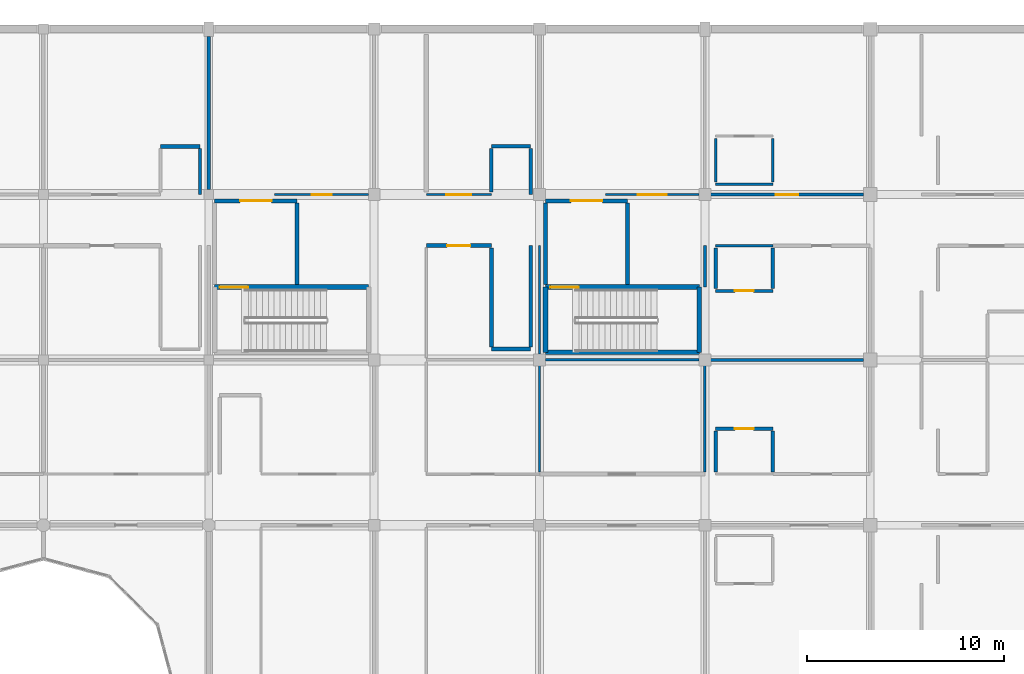
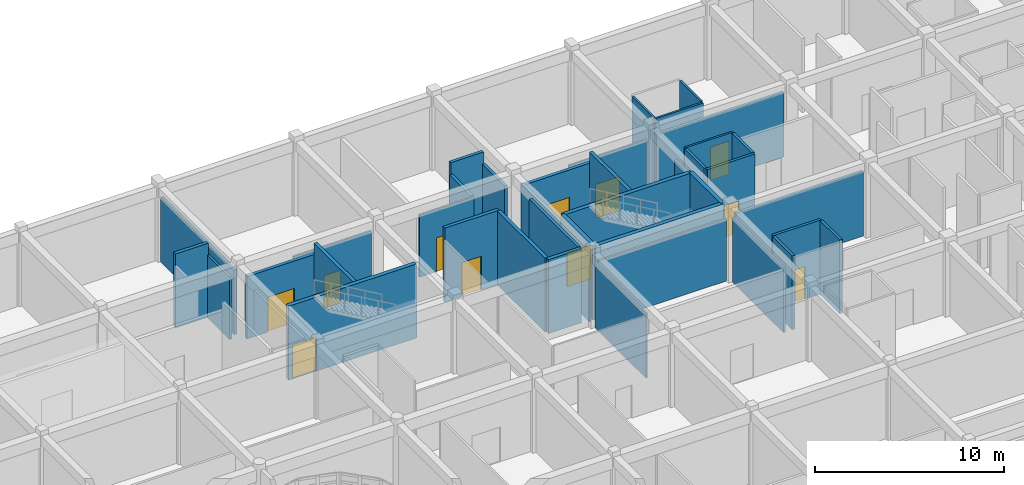
# One storey, part 100 of 134: 40 walls, 11 doors, 11 openings.
"""IFC4 building model written with IfcOpenShell, lengths in metres."""

from ifc_helpers import new_model, si_unit, direction, frame, frame_2d, origin, place, context, subcontext, project, spatial, rectangle, extrude, material, layer, layer_set, type_object, element, fill, save


model = new_model("IFC4")

# Units and contexts
model_context = context("Model", 3, precision=1e-05, world=origin(), true_north=direction((0.0, 1.0)))
body_context = subcontext(model_context, "Body", "Model", "MODEL_VIEW")
ifc_project = project(units=[si_unit("LENGTHUNIT", "METRE"), si_unit("AREAUNIT", "SQUARE_METRE"), si_unit("VOLUMEUNIT", "CUBIC_METRE"), si_unit("PLANEANGLEUNIT", "RADIAN"), si_unit("MASSUNIT", "GRAM", prefix="KILO")], contexts=[model_context])

# Site, building, storey
site_placement = place(None, origin())
site = spatial("IfcSite", under=ifc_project, at=site_placement, CompositionType="ELEMENT")
building_placement = place(site_placement, origin())
building = spatial("IfcBuilding", under=site, at=building_placement, Name="Bramfleet General Hospital", CompositionType="ELEMENT")
storey_placement = place(building_placement, frame((0.0, 0.0, 9.300048828125)))
storey = spatial("IfcBuildingStorey", under=building, at=storey_placement, Name="L02", CompositionType="ELEMENT", Elevation=9.300048828125)

# Walls
ifc_material_1 = material(Name="Concrete C35/45", Category="concrete")
ifc_layer_1 = layer(ifc_material_1, 0.219970703125, Name="WT-IW-01")
ifc_layer_set_1 = layer_set([ifc_layer_1], Name="Concrete C35/45")
wall_type_1 = type_object("IfcWallType", Name="WT-IW-01", PredefinedType="PARTITIONING", material=ifc_layer_set_1)
wall_1_placement = place(storey_placement, frame((47.949951171875, 101.35009765625, 0.0), z_axis=(0.0, 0.0, 1.0), x_axis=(1.0, 0.0, 0.0)))
element("IfcWall", 1, at=wall_1_placement, inside=storey, type_object=wall_type_1, Name="L02 Interior Partition IW-L02-2137", PredefinedType="PARTITIONING", context=body_context, shape_type="SweptSolid", body=[
    extrude(rectangle(XDim=2.0, YDim=0.219970703125, at=frame_2d((1.0, 0.0))), origin(), (0.0, 0.0, 1.0), 4.77001953125),
])
ifc_layer_2 = layer(ifc_material_1, 0.205078125, Name="WT-IW-02")
ifc_layer_set_2 = layer_set([ifc_layer_2], Name="Concrete C35/45")
wall_type_2 = type_object("IfcWallType", Name="WT-IW-02", PredefinedType="PARTITIONING", material=ifc_layer_set_2)
wall_2_placement = place(storey_placement, frame((38.080078125, 104.639892578125, 0.0), z_axis=(0.0, 0.0, 1.0), x_axis=(0.0, 1.0, 0.0)))
element("IfcWall", 2, at=wall_2_placement, inside=storey, type_object=wall_type_2, Name="L02 C8 Lobby East Shaft Wall", PredefinedType="PARTITIONING", context=body_context, shape_type="SweptSolid", body=[
    extrude(rectangle(XDim=4.1201171875, YDim=0.205078125, at=frame_2d((2.06005859375, 0.0))), origin(), (0.0, 0.0, 1.0), 4.77001953125),
])

# Wall, opening, door
wall_3_placement = place(storey_placement, frame((33.89990234375, 108.8798828125, 0.0), z_axis=(0.0, 0.0, 1.0), x_axis=(1.0, 0.0, 0.0)))
wall_3 = element("IfcWall", 3, at=wall_3_placement, inside=storey, type_object=wall_type_2, Name="L02 C8 Lobby North Compartment Wall", PredefinedType="PARTITIONING", context=body_context, shape_type="SweptSolid", body=[
    extrude(rectangle(XDim=4.18017578125, YDim=0.205078125, at=frame_2d((2.090087890625, 0.0))), origin(), (0.0, 0.0, 1.0), 4.02001953125),
])
opening_1_placement = place(wall_3_placement, frame((1.2900390625, 0.0, 0.0)))
opening_1 = element("IfcOpeningElement", 4, at=opening_1_placement, cuts=wall_3, Name="Opening D0104", PredefinedType="OPENING", context=body_context, shape_type="SweptSolid", body=[
    extrude(rectangle(XDim=1.60009765625, YDim=2.25, at=frame_2d((0.800048828125, 1.125))), frame((0.0, 0.112548828125, 0.0), z_axis=(0.0, -1.0, 0.0), x_axis=(1.0, 0.0, 0.0)), (0.0, 0.0, 1.0), 0.22509765625),
])
ifc_material_2 = material(Name="Stainless steel and acoustic timber leaf", Category="steel")
door_type_1 = type_object("IfcDoorType", Name="DR-D-04", OperationType="NOTDEFINED", PredefinedType="DOOR", material=ifc_material_2)
door_1_placement = place(opening_1_placement, origin())
door_1 = element("IfcDoor", 5, at=door_1_placement, inside=storey, type_object=door_type_1, Name="L02 C8 Lobby Fire Door D0104", OperationType="DOUBLE_SWING_LEFT", OverallHeight=2.25, OverallWidth=1.60009765625, PredefinedType="DOOR", context=body_context, shape_type="SweptSolid", body=[
    extrude(rectangle(XDim=1.60009765625, YDim=2.25, at=frame_2d((0.800048828125, 1.125))), frame((0.0, 0.02490234375, 0.0), z_axis=(0.0, -1.0, 0.0), x_axis=(1.0, 0.0, 0.0)), (0.0, 0.0, 1.0), 0.050048828125),
])
fill(opening_1, door_1)

# Walls
wall_4_placement = place(storey_placement, frame((54.8798828125, 104.639892578125, 0.0), z_axis=(0.0, 0.0, 1.0), x_axis=(0.0, 1.0, 0.0)))
element("IfcWall", 6, at=wall_4_placement, inside=storey, type_object=wall_type_2, Name="L02 C14 Lobby East Shaft Wall", PredefinedType="PARTITIONING", context=body_context, shape_type="SweptSolid", body=[
    extrude(rectangle(XDim=4.1201171875, YDim=0.205078125, at=frame_2d((2.06005859375, 0.0))), origin(), (0.0, 0.0, 1.0), 4.77001953125),
])
wall_5_placement = place(storey_placement, frame((50.699951171875, 104.639892578125, 0.0), z_axis=(0.0, 0.0, 1.0), x_axis=(0.0, 1.0, 0.0)))
element("IfcWall", 7, at=wall_5_placement, inside=storey, type_object=wall_type_2, Name="L02 C14 Lobby West Compartment Wall", PredefinedType="PARTITIONING", context=body_context, shape_type="SweptSolid", body=[
    extrude(rectangle(XDim=4.1201171875, YDim=0.205078125, at=frame_2d((2.06005859375, 0.0))), origin(), (0.0, 0.0, 1.0), 4.169921875),
])

# Wall, opening, door
wall_6_placement = place(storey_placement, frame((50.699951171875, 108.8798828125, 0.0), z_axis=(0.0, 0.0, 1.0), x_axis=(1.0, 0.0, 0.0)))
wall_6 = element("IfcWall", 8, at=wall_6_placement, inside=storey, type_object=wall_type_2, Name="L02 C14 Lobby North Compartment Wall", PredefinedType="PARTITIONING", context=body_context, shape_type="SweptSolid", body=[
    extrude(rectangle(XDim=4.179931640625, YDim=0.205078125, at=frame_2d((2.08984375, 0.0))), origin(), (0.0, 0.0, 1.0), 4.02001953125),
])
opening_2_placement = place(wall_6_placement, frame((1.2900390625, 0.0, 0.0)))
opening_2 = element("IfcOpeningElement", 9, at=opening_2_placement, cuts=wall_6, Name="Opening D0182", PredefinedType="OPENING", context=body_context, shape_type="SweptSolid", body=[
    extrude(rectangle(XDim=1.60009765625, YDim=2.25, at=frame_2d((0.800048828125, 1.125))), frame((0.0, 0.112548828125, 0.0), z_axis=(0.0, -1.0, 0.0), x_axis=(1.0, 0.0, 0.0)), (0.0, 0.0, 1.0), 0.22509765625),
])
door_2_placement = place(opening_2_placement, origin())
door_2 = element("IfcDoor", 10, at=door_2_placement, inside=storey, type_object=door_type_1, Name="L02 C14 Lobby Fire Door D0182", OperationType="DOUBLE_SWING_LEFT", OverallHeight=2.25, OverallWidth=1.60009765625, PredefinedType="DOOR", context=body_context, shape_type="SweptSolid", body=[
    extrude(rectangle(XDim=1.60009765625, YDim=2.25, at=frame_2d((0.800048828125, 1.125))), frame((0.0, 0.02490234375, 0.0), z_axis=(0.0, -1.0, 0.0), x_axis=(1.0, 0.0, 0.0)), (0.0, 0.0, 1.0), 0.050048828125),
])
fill(opening_2, door_2)

wall_7_placement = place(storey_placement, frame((44.64990234375, 106.60009765625, 0.0), z_axis=(0.0, 0.0, 1.0), x_axis=(1.0, 0.0, 0.0)))
wall_7 = element("IfcWall", 11, at=wall_7_placement, inside=storey, type_object=wall_type_2, Name="L02 Interior Partition IW-L02-2150", PredefinedType="PARTITIONING", context=body_context, shape_type="SweptSolid", body=[
    extrude(rectangle(XDim=3.300048828125, YDim=0.205078125, at=frame_2d((1.64990234375, 0.0))), origin(), (0.0, 0.0, 1.0), 4.77001953125),
])
opening_3_placement = place(wall_7_placement, frame((1.06005859375, 0.0, 0.0)))
opening_3 = element("IfcOpeningElement", 12, at=opening_3_placement, cuts=wall_7, Name="Opening D0892", PredefinedType="OPENING", context=body_context, shape_type="SweptSolid", body=[
    extrude(rectangle(XDim=1.179931640625, YDim=2.179931640625, at=frame_2d((0.58984375, 1.08984375))), frame((0.0, 0.112548828125, 0.0), z_axis=(0.0, -1.0, 0.0), x_axis=(1.0, 0.0, 0.0)), (0.0, 0.0, 1.0), 0.22509765625),
])
door_type_2 = type_object("IfcDoorType", Name="DR-D-28", OperationType="NOTDEFINED", PredefinedType="DOOR", material=ifc_material_2)
door_3_placement = place(opening_3_placement, origin())
door_3 = element("IfcDoor", 13, at=door_3_placement, inside=storey, type_object=door_type_2, Name="Post-Anaesthesia Recovery Ward Bay L02-0512 Door D0892", OperationType="SINGLE_SWING_LEFT", OverallHeight=2.179931640625, OverallWidth=1.179931640625, PredefinedType="DOOR", context=body_context, shape_type="SweptSolid", body=[
    extrude(rectangle(XDim=1.179931640625, YDim=2.179931640625, at=frame_2d((0.58984375, 1.08984375))), frame((0.0, 0.02490234375, 0.0), z_axis=(0.0, -1.0, 0.0), x_axis=(1.0, 0.0, 0.0)), (0.0, 0.0, 1.0), 0.050048828125),
])
fill(opening_3, door_3)

# Walls
wall_8_placement = place(storey_placement, frame((31.14990234375, 111.64990234375, 0.0), z_axis=(0.0, 0.0, 1.0), x_axis=(1.0, 0.0, 0.0)))
element("IfcWall", 14, at=wall_8_placement, inside=storey, type_object=wall_type_2, Name="L02 Interior Partition IW-L02-2186", PredefinedType="PARTITIONING", context=body_context, shape_type="SweptSolid", body=[
    extrude(rectangle(XDim=2.0, YDim=0.205078125, at=frame_2d((1.0, 0.0))), origin(), (0.0, 0.0, 1.0), 4.77001953125),
])
wall_9_placement = place(storey_placement, frame((47.949951171875, 101.465087890625, 0.0), z_axis=(0.0, 0.0, 1.0), x_axis=(0.0, 1.0, 0.0)))
element("IfcWall", 15, at=wall_9_placement, inside=storey, type_object=wall_type_2, Name="L02 Interior Partition IW-L02-2258", PredefinedType="PARTITIONING", context=body_context, shape_type="SweptSolid", body=[
    extrude(rectangle(XDim=5.02001953125, YDim=0.205078125, at=frame_2d((2.510009765625, 0.0))), origin(), (0.0, 0.0, 1.0), 4.77001953125),
])
ifc_layer_3 = layer(ifc_material_1, 0.18994140625, Name="WT-IW-03")
ifc_layer_set_3 = layer_set([ifc_layer_3], Name="Concrete C35/45")
wall_type_3 = type_object("IfcWallType", Name="WT-IW-03", PredefinedType="PARTITIONING", material=ifc_layer_set_3)
wall_10_placement = place(storey_placement, frame((47.949951171875, 111.64990234375, 0.0), z_axis=(0.0, 0.0, 1.0), x_axis=(1.0, 0.0, 0.0)))
element("IfcWall", 16, at=wall_10_placement, inside=storey, type_object=wall_type_3, Name="L02 Interior Partition IW-L02-2187", PredefinedType="PARTITIONING", context=body_context, shape_type="SweptSolid", body=[
    extrude(rectangle(XDim=2.0, YDim=0.18994140625, at=frame_2d((1.0, 0.0))), origin(), (0.0, 0.0, 1.0), 4.77001953125),
])
wall_11_placement = place(storey_placement, frame((47.949951171875, 109.31494140625, 0.0), z_axis=(0.0, 0.0, 1.0), x_axis=(0.0, 1.0, 0.0)))
element("IfcWall", 17, at=wall_11_placement, inside=storey, type_object=wall_type_3, Name="L02 Interior Partition IW-L02-2259", PredefinedType="PARTITIONING", context=body_context, shape_type="SweptSolid", body=[
    extrude(rectangle(XDim=2.219970703125, YDim=0.18994140625, at=frame_2d((1.10986328125, 0.0))), origin(), (0.0, 0.0, 1.0), 4.02001953125),
])
ifc_layer_4 = layer(ifc_material_1, 0.179931640625, Name="WT-IW-04")
ifc_layer_set_4 = layer_set([ifc_layer_4], Name="Concrete C35/45")
wall_type_4 = type_object("IfcWallType", Name="WT-IW-04", PredefinedType="PARTITIONING", material=ifc_layer_set_4)
wall_12_placement = place(storey_placement, frame((33.60009765625, 109.445068359375, 0.0), z_axis=(0.0, 0.0, 1.0), x_axis=(0.0, 1.0, 0.0)))
element("IfcWall", 18, at=wall_12_placement, inside=storey, type_object=wall_type_4, Name="L02 Interior Partition IW-L02-2236", PredefinedType="PARTITIONING", context=body_context, shape_type="SweptSolid", body=[
    extrude(rectangle(XDim=7.784912109375, YDim=0.179931640625, at=frame_2d((3.892578125, 0.0))), origin(), (0.0, 0.0, 1.0), 4.169921875),
])
wall_13_placement = place(storey_placement, frame((49.949951171875, 101.465087890625, 0.0), z_axis=(0.0, 0.0, 1.0), x_axis=(0.0, 1.0, 0.0)))
element("IfcWall", 19, at=wall_13_placement, inside=storey, type_object=wall_type_4, Name="L02 Interior Partition IW-L02-2260", PredefinedType="PARTITIONING", context=body_context, shape_type="SweptSolid", body=[
    extrude(rectangle(XDim=5.135009765625, YDim=0.179931640625, at=frame_2d((2.5673828125, 0.0))), origin(), (0.0, 0.0, 1.0), 4.77001953125),
])
ifc_material_3 = material(Name="Gypsum plasterboard on acoustic steel studs", Category="steel")
ifc_layer_5 = layer(ifc_material_3, 0.169921875, Name="WT-IW-05")
ifc_layer_set_5 = layer_set([ifc_layer_5], Name="Gypsum plasterboard on acoustic steel studs")
wall_type_5 = type_object("IfcWallType", Name="WT-IW-05", PredefinedType="PARTITIONING", material=ifc_layer_set_5)
wall_14_placement = place(storey_placement, frame((49.949951171875, 109.199951171875, 0.0), z_axis=(0.0, 0.0, 1.0), x_axis=(0.0, 1.0, 0.0)))
element("IfcWall", 20, at=wall_14_placement, inside=storey, type_object=wall_type_5, Name="L02 Interior Partition IW-L02-2261", PredefinedType="PARTITIONING", context=body_context, shape_type="SweptSolid", body=[
    extrude(rectangle(XDim=2.3349609375, YDim=0.169921875, at=frame_2d((1.16748046875, 0.0))), origin(), (0.0, 0.0, 1.0), 4.02001953125),
])

# Wall, opening, door
ifc_layer_6 = layer(ifc_material_3, 0.159912109375, Name="WT-IW-06")
ifc_layer_set_6 = layer_set([ifc_layer_6], Name="Gypsum plasterboard on acoustic steel studs")
wall_type_6 = type_object("IfcWallType", Name="WT-IW-06", PredefinedType="PARTITIONING", material=ifc_layer_set_6)
wall_15_placement = place(storey_placement, frame((59.35009765625, 97.300048828125, 0.0), z_axis=(0.0, 0.0, 1.0), x_axis=(1.0, 0.0, 0.0)))
wall_15 = element("IfcWall", 21, at=wall_15_placement, inside=storey, type_object=wall_type_6, Name="L02 Interior Partition IW-L02-2113", PredefinedType="PARTITIONING", context=body_context, shape_type="SweptSolid", body=[
    extrude(rectangle(XDim=2.89990234375, YDim=0.159912109375, at=frame_2d((1.449951171875, 0.0))), origin(), (0.0, 0.0, 1.0), 4.77001953125),
])
opening_4_placement = place(wall_15_placement, frame((0.97509765625, 0.0, 0.0)))
opening_4 = element("IfcOpeningElement", 22, at=opening_4_placement, cuts=wall_15, Name="Opening D0905", PredefinedType="OPENING", context=body_context, shape_type="SweptSolid", body=[
    extrude(rectangle(XDim=0.949951171875, YDim=2.10009765625, at=frame_2d((0.47509765625, 1.050048828125))), frame((0.0, 0.08984375, 0.0), z_axis=(0.0, -1.0, 0.0), x_axis=(1.0, 0.0, 0.0)), (0.0, 0.0, 1.0), 0.179931640625),
])
door_type_3 = type_object("IfcDoorType", Name="DR-D-10", OperationType="NOTDEFINED", PredefinedType="DOOR", material=ifc_material_2)
door_4_placement = place(opening_4_placement, origin())
door_4 = element("IfcDoor", 23, at=door_4_placement, inside=storey, type_object=door_type_3, Name="Intensive Care En-Suite WC L02-0711 Door D0905", OperationType="SINGLE_SWING_LEFT", OverallHeight=2.10009765625, OverallWidth=0.949951171875, PredefinedType="DOOR", context=body_context, shape_type="SweptSolid", body=[
    extrude(rectangle(XDim=0.949951171875, YDim=2.10009765625, at=frame_2d((0.47509765625, 1.050048828125))), frame((0.0, 0.02490234375, 0.0), z_axis=(0.0, -1.0, 0.0), x_axis=(1.0, 0.0, 0.0)), (0.0, 0.0, 1.0), 0.050048828125),
])
fill(opening_4, door_4)

# Wall
wall_16_placement = place(storey_placement, frame((59.094970703125, 100.800048828125, 0.0), z_axis=(0.0, 0.0, 1.0), x_axis=(1.0, 0.0, 0.0)))
element("IfcWall", 24, at=wall_16_placement, inside=storey, type_object=wall_type_6, Name="L02 Interior Partition IW-L02-2123", PredefinedType="PARTITIONING", context=body_context, shape_type="SweptSolid", body=[
    extrude(rectangle(XDim=7.760009765625, YDim=0.159912109375, at=frame_2d((3.8798828125, 0.0))), origin(), (0.0, 0.0, 1.0), 4.169921875),
])

# Wall, opening, door
wall_17_placement = place(storey_placement, frame((59.35009765625, 104.300048828125, 0.0), z_axis=(0.0, 0.0, 1.0), x_axis=(1.0, 0.0, 0.0)))
wall_17 = element("IfcWall", 25, at=wall_17_placement, inside=storey, type_object=wall_type_6, Name="L02 Interior Partition IW-L02-2142", PredefinedType="PARTITIONING", context=body_context, shape_type="SweptSolid", body=[
    extrude(rectangle(XDim=2.89990234375, YDim=0.159912109375, at=frame_2d((1.449951171875, 0.0))), origin(), (0.0, 0.0, 1.0), 4.77001953125),
])
opening_5_placement = place(wall_17_placement, frame((0.97509765625, 0.0, 0.0)))
opening_5 = element("IfcOpeningElement", 26, at=opening_5_placement, cuts=wall_17, Name="Opening D0907", PredefinedType="OPENING", context=body_context, shape_type="SweptSolid", body=[
    extrude(rectangle(XDim=0.949951171875, YDim=2.10009765625, at=frame_2d((0.47509765625, 1.050048828125))), frame((0.0, 0.08984375, 0.0), z_axis=(0.0, -1.0, 0.0), x_axis=(1.0, 0.0, 0.0)), (0.0, 0.0, 1.0), 0.179931640625),
])
door_5_placement = place(opening_5_placement, origin())
door_5 = element("IfcDoor", 27, at=door_5_placement, inside=storey, type_object=door_type_3, Name="Intensive Care En-Suite WC L02-0712 Door D0907", OperationType="SINGLE_SWING_LEFT", OverallHeight=2.10009765625, OverallWidth=0.949951171875, PredefinedType="DOOR", context=body_context, shape_type="SweptSolid", body=[
    extrude(rectangle(XDim=0.949951171875, YDim=2.10009765625, at=frame_2d((0.47509765625, 1.050048828125))), frame((0.0, 0.02490234375, 0.0), z_axis=(0.0, -1.0, 0.0), x_axis=(1.0, 0.0, 0.0)), (0.0, 0.0, 1.0), 0.050048828125),
])
fill(opening_5, door_5)

wall_18_placement = place(storey_placement, frame((59.094970703125, 109.199951171875, 0.0), z_axis=(0.0, 0.0, 1.0), x_axis=(1.0, 0.0, 0.0)))
wall_18 = element("IfcWall", 28, at=wall_18_placement, inside=storey, type_object=wall_type_6, Name="L02 Interior Partition IW-L02-2173", PredefinedType="PARTITIONING", context=body_context, shape_type="SweptSolid", body=[
    extrude(rectangle(XDim=7.760009765625, YDim=0.159912109375, at=frame_2d((3.8798828125, 0.0))), origin(), (0.0, 0.0, 1.0), 4.169921875),
])
opening_6_placement = place(wall_18_placement, frame((3.304931640625, 0.0, 0.0)))
opening_6 = element("IfcOpeningElement", 29, at=opening_6_placement, cuts=wall_18, Name="Opening D0908", PredefinedType="OPENING", context=body_context, shape_type="SweptSolid", body=[
    extrude(rectangle(XDim=1.14990234375, YDim=2.14990234375, at=frame_2d((0.574951171875, 1.074951171875))), frame((0.0, 0.08984375, 0.0), z_axis=(0.0, -1.0, 0.0), x_axis=(1.0, 0.0, 0.0)), (0.0, 0.0, 1.0), 0.179931640625),
])
door_type_4 = type_object("IfcDoorType", Name="DR-D-12", OperationType="NOTDEFINED", PredefinedType="DOOR", material=ifc_material_2)
door_6_placement = place(opening_6_placement, origin())
door_6 = element("IfcDoor", 30, at=door_6_placement, inside=storey, type_object=door_type_4, Name="Intensive Care Unit Room L02-0713 Door D0908", OperationType="SINGLE_SWING_LEFT", OverallHeight=2.14990234375, OverallWidth=1.14990234375, PredefinedType="DOOR", context=body_context, shape_type="SweptSolid", body=[
    extrude(rectangle(XDim=1.14990234375, YDim=2.14990234375, at=frame_2d((0.574951171875, 1.074951171875))), frame((0.0, 0.02490234375, 0.0), z_axis=(0.0, -1.0, 0.0), x_axis=(1.0, 0.0, 0.0)), (0.0, 0.0, 1.0), 0.050048828125),
])
fill(opening_6, door_6)

# Walls
wall_19_placement = place(storey_placement, frame((58.800048828125, 104.5, 0.0), z_axis=(0.0, 0.0, 1.0), x_axis=(0.0, 1.0, 0.0)))
element("IfcWall", 31, at=wall_19_placement, inside=storey, type_object=wall_type_6, Name="L02 Interior Partition IW-L02-2277", PredefinedType="PARTITIONING", context=body_context, shape_type="SweptSolid", body=[
    extrude(rectangle(XDim=2.10009765625, YDim=0.159912109375, at=frame_2d((1.050048828125, 0.0))), origin(), (0.0, 0.0, 1.0), 4.169921875),
])
for number, where, z_axis, x_axis, name in (
    (32, (59.35009765625, 95.114990234375, 0.0), (0.0, 0.0, 1.0), (0.0, 1.0, 0.0), "L02 Interior Partition IW-L02-2280"),
    (33, (59.35009765625, 104.4150390625, 0.0), (0.0, 0.0, 1.0), (0.0, 1.0, 0.0), "L02 Interior Partition IW-L02-2281"),
    (34, (62.25, 95.114990234375, 0.0), (0.0, 0.0, 1.0), (0.0, 1.0, 0.0), "L02 Interior Partition IW-L02-2284"),
    (35, (62.25, 104.4150390625, 0.0), (0.0, 0.0, 1.0), (0.0, 1.0, 0.0), "L02 Interior Partition IW-L02-2285"),
):
    element("IfcWall", number, at=place(storey_placement, frame(where, z_axis=z_axis, x_axis=x_axis)), inside=storey, type_object=wall_type_6, Name=name, PredefinedType="PARTITIONING", context=body_context, shape_type="SweptSolid", body=[
        extrude(rectangle(XDim=2.070068359375, YDim=0.159912109375, at=frame_2d((1.03515625, 0.0))), origin(), (0.0, 0.0, 1.0), 4.77001953125),
    ])
ifc_layer_7 = layer(ifc_material_3, 0.139892578125, Name="WT-IW-08")
ifc_layer_set_7 = layer_set([ifc_layer_7], Name="Gypsum plasterboard on acoustic steel studs")
wall_type_7 = type_object("IfcWallType", Name="WT-IW-08", PredefinedType="PARTITIONING", material=ifc_layer_set_7)
wall_20_placement = place(storey_placement, frame((33.14990234375, 109.199951171875, 0.0), z_axis=(0.0, 0.0, 1.0), x_axis=(0.0, 1.0, 0.0)))
element("IfcWall", 36, at=wall_20_placement, inside=storey, type_object=wall_type_7, Name="L02 Interior Partition IW-L02-2228", PredefinedType="PARTITIONING", context=body_context, shape_type="SweptSolid", body=[
    extrude(rectangle(XDim=2.3349609375, YDim=0.139892578125, at=frame_2d((1.16748046875, 0.0))), origin(), (0.0, 0.0, 1.0), 4.02001953125),
])
wall_21_placement = place(storey_placement, frame((58.800048828125, 95.114990234375, 0.0), z_axis=(0.0, 0.0, 1.0), x_axis=(0.0, 1.0, 0.0)))
element("IfcWall", 37, at=wall_21_placement, inside=storey, type_object=wall_type_7, Name="L02 Interior Partition IW-L02-2276", PredefinedType="PARTITIONING", context=body_context, shape_type="SweptSolid", body=[
    extrude(rectangle(XDim=5.389892578125, YDim=0.139892578125, at=frame_2d((2.69482421875, 0.0))), origin(), (0.0, 0.0, 1.0), 4.169921875),
])
ifc_layer_8 = layer(ifc_material_3, 0.1201171875, Name="WT-IW-10")
ifc_layer_set_8 = layer_set([ifc_layer_8], Name="Gypsum plasterboard on acoustic steel studs")
wall_type_8 = type_object("IfcWallType", Name="WT-IW-10", PredefinedType="PARTITIONING", material=ifc_layer_set_8)
wall_22_placement = place(storey_placement, frame((50.695068359375, 100.800048828125, 0.0), z_axis=(0.0, 0.0, 1.0), x_axis=(1.0, 0.0, 0.0)))
element("IfcWall", 38, at=wall_22_placement, inside=storey, type_object=wall_type_8, Name="L02 Interior Partition IW-L02-2122", PredefinedType="PARTITIONING", context=body_context, shape_type="SweptSolid", body=[
    extrude(rectangle(XDim=7.809814453125, YDim=0.1201171875, at=frame_2d((3.90478515625, 0.0))), origin(), (0.0, 0.0, 1.0), 4.02001953125),
])
wall_23_placement = place(storey_placement, frame((59.35009765625, 106.60009765625, 0.0), z_axis=(0.0, 0.0, 1.0), x_axis=(1.0, 0.0, 0.0)))
element("IfcWall", 39, at=wall_23_placement, inside=storey, type_object=wall_type_8, Name="L02 Interior Partition IW-L02-2151", PredefinedType="PARTITIONING", context=body_context, shape_type="SweptSolid", body=[
    extrude(rectangle(XDim=2.89990234375, YDim=0.1201171875, at=frame_2d((1.449951171875, 0.0))), origin(), (0.0, 0.0, 1.0), 4.77001953125),
])

# Wall, opening, door
wall_24_placement = place(storey_placement, frame((36.949951171875, 109.199951171875, 0.0), z_axis=(0.0, 0.0, 1.0), x_axis=(1.0, 0.0, 0.0)))
wall_24 = element("IfcWall", 40, at=wall_24_placement, inside=storey, type_object=wall_type_8, Name="L02 Interior Partition IW-L02-2170", PredefinedType="PARTITIONING", context=body_context, shape_type="SweptSolid", body=[
    extrude(rectangle(XDim=4.755126953125, YDim=0.1201171875, at=frame_2d((2.37744140625, 0.0))), origin(), (0.0, 0.0, 1.0), 4.02001953125),
])
opening_7_placement = place(wall_24_placement, frame((1.867431640625, 0.0, 0.0)))
opening_7 = element("IfcOpeningElement", 41, at=opening_7_placement, cuts=wall_24, Name="Opening D0885", PredefinedType="OPENING", context=body_context, shape_type="SweptSolid", body=[
    extrude(rectangle(XDim=1.02001953125, YDim=2.1201171875, at=frame_2d((0.510009765625, 1.06005859375))), frame((0.0, 0.070068359375, 0.0), z_axis=(0.0, -1.0, 0.0), x_axis=(1.0, 0.0, 0.0)), (0.0, 0.0, 1.0), 0.14013671875),
])
door_type_5 = type_object("IfcDoorType", Name="DR-D-21", OperationType="NOTDEFINED", PredefinedType="DOOR", material=ifc_material_2)
door_7_placement = place(opening_7_placement, origin())
door_7 = element("IfcDoor", 42, at=door_7_placement, inside=storey, type_object=door_type_5, Name="Surgical Scrub and Anaesthetic Induction 0413 Door D0885", OperationType="SINGLE_SWING_RIGHT", OverallHeight=2.1201171875, OverallWidth=1.02001953125, PredefinedType="DOOR", context=body_context, shape_type="SweptSolid", body=[
    extrude(rectangle(XDim=1.02001953125, YDim=2.1201171875, at=frame_2d((0.510009765625, 1.06005859375))), frame((0.0, 0.02490234375, 0.0), z_axis=(0.0, -1.0, 0.0), x_axis=(1.0, 0.0, 0.0)), (0.0, 0.0, 1.0), 0.050048828125),
])
fill(opening_7, door_7)

# Walls
wall_25_placement = place(storey_placement, frame((59.35009765625, 109.719970703125, 0.0), z_axis=(0.0, 0.0, 1.0), x_axis=(1.0, 0.0, 0.0)))
element("IfcWall", 43, at=wall_25_placement, inside=storey, type_object=wall_type_8, Name="L02 Interior Partition IW-L02-2181", PredefinedType="PARTITIONING", context=body_context, shape_type="SweptSolid", body=[
    extrude(rectangle(XDim=2.89990234375, YDim=0.1201171875, at=frame_2d((1.449951171875, 0.0))), origin(), (0.0, 0.0, 1.0), 4.77001953125),
])
for number, where, z_axis, x_axis, name in (
    (44, (59.35009765625, 109.8349609375, 0.0), (0.0, 0.0, 1.0), (0.0, 1.0, 0.0), "L02 Interior Partition IW-L02-2282"),
    (45, (62.25, 109.8349609375, 0.0), (0.0, 0.0, 1.0), (0.0, 1.0, 0.0), "L02 Interior Partition IW-L02-2286"),
):
    element("IfcWall", number, at=place(storey_placement, frame(where, z_axis=z_axis, x_axis=x_axis)), inside=storey, type_object=wall_type_8, Name=name, PredefinedType="PARTITIONING", context=body_context, shape_type="SweptSolid", body=[
        extrude(rectangle(XDim=2.219970703125, YDim=0.1201171875, at=frame_2d((1.10986328125, 0.0))), origin(), (0.0, 0.0, 1.0), 4.77001953125),
    ])

# Wall, opening, door
ifc_layer_9 = layer(ifc_material_3, 0.112060546875, Name="WT-IW-11")
ifc_layer_set_9 = layer_set([ifc_layer_9], Name="Gypsum plasterboard on acoustic steel studs")
wall_type_9 = type_object("IfcWallType", Name="WT-IW-11", PredefinedType="PARTITIONING", material=ifc_layer_set_9)
wall_26_placement = place(storey_placement, frame((44.64990234375, 109.199951171875, 0.0), z_axis=(0.0, 0.0, 1.0), x_axis=(1.0, 0.0, 0.0)))
wall_26 = element("IfcWall", 46, at=wall_26_placement, inside=storey, type_object=wall_type_9, Name="L02 Interior Partition IW-L02-2171", PredefinedType="PARTITIONING", context=body_context, shape_type="SweptSolid", body=[
    extrude(rectangle(XDim=3.300048828125, YDim=0.112060546875, at=frame_2d((1.64990234375, 0.0))), origin(), (0.0, 0.0, 1.0), 4.02001953125),
])
opening_8_placement = place(wall_26_placement, frame((1.010009765625, 0.0, 0.0)))
opening_8 = element("IfcOpeningElement", 47, at=opening_8_placement, cuts=wall_26, Name="Opening D0893", PredefinedType="OPENING", context=body_context, shape_type="SweptSolid", body=[
    extrude(rectangle(XDim=1.280029296875, YDim=2.179931640625, at=frame_2d((0.64013671875, 1.08984375))), frame((0.0, 0.06591796875, 0.0), z_axis=(0.0, -1.0, 0.0), x_axis=(1.0, 0.0, 0.0)), (0.0, 0.0, 1.0), 0.132080078125),
])
door_type_6 = type_object("IfcDoorType", Name="DR-D-29", OperationType="NOTDEFINED", PredefinedType="DOOR", material=ifc_material_2)
door_8_placement = place(opening_8_placement, origin())
door_8 = element("IfcDoor", 48, at=door_8_placement, inside=storey, type_object=door_type_6, Name="Surgical Scrub and Anaesthetic Induction 0513 Door D0893", OperationType="SINGLE_SWING_RIGHT", OverallHeight=2.179931640625, OverallWidth=1.280029296875, PredefinedType="DOOR", context=body_context, shape_type="SweptSolid", body=[
    extrude(rectangle(XDim=1.280029296875, YDim=2.179931640625, at=frame_2d((0.64013671875, 1.08984375))), frame((0.0, 0.02490234375, 0.0), z_axis=(0.0, -1.0, 0.0), x_axis=(1.0, 0.0, 0.0)), (0.0, 0.0, 1.0), 0.050048828125),
])
fill(opening_8, door_8)

# Wall
wall_27_placement = place(storey_placement, frame((50.39990234375, 95.114990234375, 0.0), z_axis=(0.0, 0.0, 1.0), x_axis=(0.0, 1.0, 0.0)))
element("IfcWall", 49, at=wall_27_placement, inside=storey, type_object=wall_type_9, Name="L02 Interior Partition IW-L02-2267", PredefinedType="PARTITIONING", context=body_context, shape_type="SweptSolid", body=[
    extrude(rectangle(XDim=5.389892578125, YDim=0.112060546875, at=frame_2d((2.69482421875, 0.0))), origin(), (0.0, 0.0, 1.0), 4.169921875),
])

# Wall, opening, door
ifc_layer_10 = layer(ifc_material_3, 0.10009765625, Name="WT-IW-12")
ifc_layer_set_10 = layer_set([ifc_layer_10], Name="Gypsum plasterboard on acoustic steel studs")
wall_type_10 = type_object("IfcWallType", Name="WT-IW-12", PredefinedType="PARTITIONING", material=ifc_layer_set_10)
wall_28_placement = place(storey_placement, frame((53.75, 109.199951171875, 0.0), z_axis=(0.0, 0.0, 1.0), x_axis=(1.0, 0.0, 0.0)))
wall_28 = element("IfcWall", 50, at=wall_28_placement, inside=storey, type_object=wall_type_10, Name="L02 Interior Partition IW-L02-2172", PredefinedType="PARTITIONING", context=body_context, shape_type="SweptSolid", body=[
    extrude(rectangle(XDim=4.7548828125, YDim=0.10009765625, at=frame_2d((2.37744140625, 0.0))), origin(), (0.0, 0.0, 1.0), 4.02001953125),
])
opening_9_placement = place(wall_28_placement, frame((1.652587890625, 0.0, 0.0)))
opening_9 = element("IfcOpeningElement", 51, at=opening_9_placement, cuts=wall_28, Name="Opening D0899", PredefinedType="OPENING", context=body_context, shape_type="SweptSolid", body=[
    extrude(rectangle(XDim=1.449951171875, YDim=2.199951171875, at=frame_2d((0.72509765625, 1.10009765625))), frame((0.0, 0.06005859375, 0.0), z_axis=(0.0, -1.0, 0.0), x_axis=(1.0, 0.0, 0.0)), (0.0, 0.0, 1.0), 0.1201171875),
])
door_type_7 = type_object("IfcDoorType", Name="DR-D-03", OperationType="NOTDEFINED", PredefinedType="DOOR", material=ifc_material_2)
door_9_placement = place(opening_9_placement, origin())
door_9 = element("IfcDoor", 52, at=door_9_placement, inside=storey, type_object=door_type_7, Name="Surgical Scrub and Anaesthetic Induction 0613 Door D0899", OperationType="SINGLE_SWING_RIGHT", OverallHeight=2.199951171875, OverallWidth=1.449951171875, PredefinedType="DOOR", context=body_context, shape_type="SweptSolid", body=[
    extrude(rectangle(XDim=1.449951171875, YDim=2.199951171875, at=frame_2d((0.72509765625, 1.10009765625))), frame((0.0, 0.02490234375, 0.0), z_axis=(0.0, -1.0, 0.0), x_axis=(1.0, 0.0, 0.0)), (0.0, 0.0, 1.0), 0.050048828125),
])
fill(opening_9, door_9)

# Wall
wall_29_placement = place(storey_placement, frame((50.39990234375, 101.094970703125, 0.0), z_axis=(0.0, 0.0, 1.0), x_axis=(0.0, 1.0, 0.0)))
element("IfcWall", 53, at=wall_29_placement, inside=storey, type_object=wall_type_10, Name="L02 Interior Partition IW-L02-2268", PredefinedType="PARTITIONING", context=body_context, shape_type="SweptSolid", body=[
    extrude(rectangle(XDim=5.505126953125, YDim=0.10009765625, at=frame_2d((2.75244140625, 0.0))), origin(), (0.0, 0.0, 1.0), 4.169921875),
])

# Wall, opening, door
ifc_material_4 = material(Name="Concrete C40/50", Category="concrete")
ifc_layer_11 = layer(ifc_material_4, 0.239990234375, Name="WT-SW-240")
ifc_layer_set_11 = layer_set([ifc_layer_11], Name="Concrete C40/50")
wall_type_11 = type_object("IfcWallType", Name="WT-SW-240", PredefinedType="SHEAR", material=ifc_layer_set_11)
wall_30_placement = place(storey_placement, frame((33.89990234375, 104.5, 0.0), z_axis=(0.0, 0.0, 1.0), x_axis=(1.0, 0.0, 0.0)))
wall_30 = element("IfcWall", 54, at=wall_30_placement, inside=storey, type_object=wall_type_11, Name="L02 C8 Stair-Lobby Shear Wall", PredefinedType="SHEAR", context=body_context, shape_type="SweptSolid", body=[
    extrude(rectangle(XDim=7.820068359375, YDim=0.239990234375, at=frame_2d((3.91015625, 0.0))), origin(), (0.0, 0.0, 1.0), 4.780029296875),
])
opening_10_placement = place(wall_30_placement, frame((0.25, 0.0, 0.0)))
opening_10 = element("IfcOpeningElement", 55, at=opening_10_placement, cuts=wall_30, Name="Opening D0103", PredefinedType="OPENING", context=body_context, shape_type="SweptSolid", body=[
    extrude(rectangle(XDim=1.449951171875, YDim=2.199951171875, at=frame_2d((0.72509765625, 1.10009765625))), frame((0.0, 0.1298828125, 0.0), z_axis=(0.0, -1.0, 0.0), x_axis=(1.0, 0.0, 0.0)), (0.0, 0.0, 1.0), 0.260009765625),
])
door_10_placement = place(opening_10_placement, origin())
door_10 = element("IfcDoor", 56, at=door_10_placement, inside=storey, type_object=door_type_7, Name="L02 C8 Escape Stair Fire Door D0103", OperationType="SINGLE_SWING_RIGHT", OverallHeight=2.199951171875, OverallWidth=1.449951171875, PredefinedType="DOOR", context=body_context, shape_type="SweptSolid", body=[
    extrude(rectangle(XDim=1.449951171875, YDim=2.199951171875, at=frame_2d((0.72509765625, 1.10009765625))), frame((0.0, 0.02490234375, 0.0), z_axis=(0.0, -1.0, 0.0), x_axis=(1.0, 0.0, 0.0)), (0.0, 0.0, 1.0), 0.050048828125),
])
fill(opening_10, door_10)

# Walls
wall_31_placement = place(storey_placement, frame((50.699951171875, 101.179931640625, 0.0), z_axis=(0.0, 0.0, 1.0), x_axis=(1.0, 0.0, 0.0)))
element("IfcWall", 57, at=wall_31_placement, inside=storey, type_object=wall_type_11, Name="L02 C14 South Stair Shear Wall", PredefinedType="SHEAR", context=body_context, shape_type="SweptSolid", body=[
    extrude(rectangle(XDim=7.820068359375, YDim=0.239990234375, at=frame_2d((3.91015625, 0.0))), origin(), (0.0, 0.0, 1.0), 4.780029296875),
])
for number, where, z_axis, x_axis, name in (
    (58, (50.699951171875, 101.179931640625, 0.0), (0.0, 0.0, 1.0), (0.0, 1.0, 0.0), "L02 C14 West Stair Shear Wall"),
    (59, (58.52001953125, 101.179931640625, 0.0), (0.0, 0.0, 1.0), (0.0, 1.0, 0.0), "L02 C14 East Stair Shear Wall"),
):
    element("IfcWall", number, at=place(storey_placement, frame(where, z_axis=z_axis, x_axis=x_axis)), inside=storey, type_object=wall_type_11, Name=name, PredefinedType="SHEAR", context=body_context, shape_type="SweptSolid", body=[
        extrude(rectangle(XDim=3.320068359375, YDim=0.239990234375, at=frame_2d((1.66015625, 0.0))), origin(), (0.0, 0.0, 1.0), 4.780029296875),
    ])

# Wall, opening, door
wall_32_placement = place(storey_placement, frame((50.699951171875, 104.5, 0.0), z_axis=(0.0, 0.0, 1.0), x_axis=(1.0, 0.0, 0.0)))
wall_32 = element("IfcWall", 60, at=wall_32_placement, inside=storey, type_object=wall_type_11, Name="L02 C14 Stair-Lobby Shear Wall", PredefinedType="SHEAR", context=body_context, shape_type="SweptSolid", body=[
    extrude(rectangle(XDim=7.820068359375, YDim=0.239990234375, at=frame_2d((3.91015625, 0.0))), origin(), (0.0, 0.0, 1.0), 4.780029296875),
])
opening_11_placement = place(wall_32_placement, frame((0.25, 0.0, 0.0)))
opening_11 = element("IfcOpeningElement", 61, at=opening_11_placement, cuts=wall_32, Name="Opening D0181", PredefinedType="OPENING", context=body_context, shape_type="SweptSolid", body=[
    extrude(rectangle(XDim=1.449951171875, YDim=2.199951171875, at=frame_2d((0.72509765625, 1.10009765625))), frame((0.0, 0.1298828125, 0.0), z_axis=(0.0, -1.0, 0.0), x_axis=(1.0, 0.0, 0.0)), (0.0, 0.0, 1.0), 0.260009765625),
])
door_11_placement = place(opening_11_placement, origin())
door_11 = element("IfcDoor", 62, at=door_11_placement, inside=storey, type_object=door_type_7, Name="L02 C14 Escape Stair Fire Door D0181", OperationType="SINGLE_SWING_RIGHT", OverallHeight=2.199951171875, OverallWidth=1.449951171875, PredefinedType="DOOR", context=body_context, shape_type="SweptSolid", body=[
    extrude(rectangle(XDim=1.449951171875, YDim=2.199951171875, at=frame_2d((0.72509765625, 1.10009765625))), frame((0.0, 0.02490234375, 0.0), z_axis=(0.0, -1.0, 0.0), x_axis=(1.0, 0.0, 0.0)), (0.0, 0.0, 1.0), 0.050048828125),
])
fill(opening_11, door_11)

save(model, "model.ifc")
